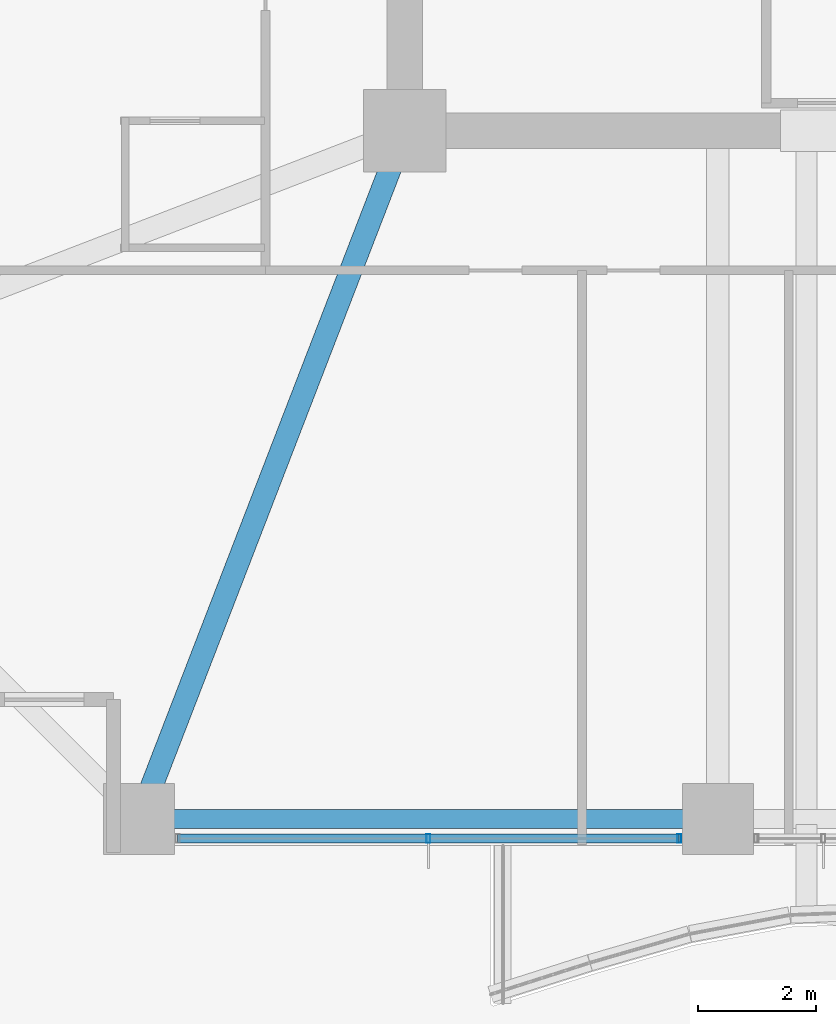
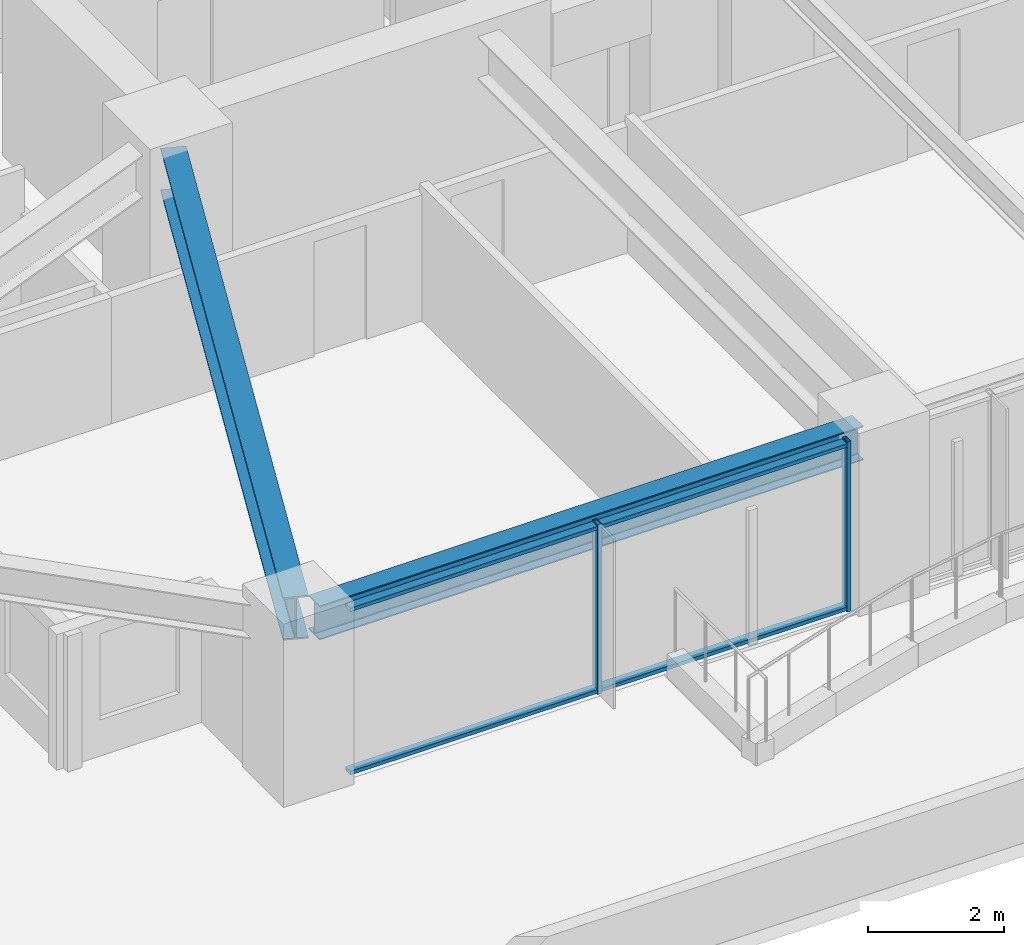
# One storey, part 3 of 36: 4 members, 2 beams, 1 element without a shape of its own.
"""IFC4 building model written with IfcOpenShell, lengths in metres."""

from ifc_helpers import new_model, si_unit, direction, frame, origin, origin_2d, place, context, subcontext, project, spatial, hollow_rectangle, i_section, extrude, material, material_profile, profile_set, type_object, element, aggregate, save


model = new_model("IFC4")

# Units and contexts
model_context = context("Model", 3, precision=1e-05, world=origin(), true_north=direction((0.0, 1.0)))
body_context = subcontext(model_context, "Body", "Model", "MODEL_VIEW")
ifc_project = project(units=[si_unit("LENGTHUNIT", "METRE"), si_unit("AREAUNIT", "SQUARE_METRE"), si_unit("VOLUMEUNIT", "CUBIC_METRE"), si_unit("PLANEANGLEUNIT", "RADIAN"), si_unit("MASSUNIT", "GRAM", prefix="KILO")], contexts=[model_context])

# Site, building, storey
site_placement = place(None, origin())
site = spatial("IfcSite", under=ifc_project, at=site_placement, CompositionType="ELEMENT")
building_placement = place(site_placement, origin())
building = spatial("IfcBuilding", under=site, at=building_placement, Name="Kolvaren Belvedere", CompositionType="ELEMENT")
storey_placement = place(building_placement, frame((0.0, 0.0, 23.800048828125)))
storey = spatial("IfcBuildingStorey", under=building, at=storey_placement, Name="L06", CompositionType="ELEMENT", Elevation=23.800048828125)

# Beams
ifc_material_1 = material(Name="Structural steel ASTM A992 Grade 50", Category="steel")
ifc_material_profile_1 = material_profile(ifc_material_1, i_section(OverallWidth=0.381103515625, OverallDepth=0.77294921875, WebThickness=0.0166015625, FlangeThickness=0.027099609375, FilletRadius=0.02392578125, at=origin_2d()), Name="W30X173")
ifc_profile_set_1 = profile_set([ifc_material_profile_1], Name="Structural steel ASTM A992 Grade 50")
beam_type_1 = type_object("IfcBeamType", Name="BM-GIRD-W30X173", PredefinedType="BEAM", material=ifc_profile_set_1)
beam_1_placement = place(storey_placement, frame((-10.09814453125, -10.4130859375, 2.67333984375), z_axis=(-0.360318391835, -0.932829382313, 0.0), x_axis=(0.932829382313, -0.360318391835, 0.0)))
element("IfcBeam", 1, at=beam_1_placement, inside=storey, type_object=beam_type_1, Name="L06 Corner Core-to-Perimeter Girder CC1-S1", PredefinedType="BEAM", context=body_context, shape_type="SweptSolid", body=[
    extrude(i_section(OverallWidth=0.381103515625, OverallDepth=0.77294921875, WebThickness=0.0166015625, FlangeThickness=0.027099609375, FilletRadius=0.02392578125, at=origin_2d()), origin(), (0.0, 0.0, 1.0), 11.698974609375),
])
ifc_material_2 = material(Name="Structural steel ASTM A992 Grade 50", Category="steel")
ifc_material_profile_2 = material_profile(ifc_material_2, i_section(OverallWidth=0.324951171875, OverallDepth=0.615966796875, WebThickness=0.013916015625, FlangeThickness=0.021484375, FilletRadius=0.02001953125, at=origin_2d()), Name="W24X117")
ifc_profile_set_2 = profile_set([ifc_material_profile_2], Name="Structural steel ASTM A992 Grade 50")
beam_type_2 = type_object("IfcBeamType", Name="BM-SPAN-W24X117", PredefinedType="SPANDREL", material=ifc_profile_set_2)
beam_2_placement = place(storey_placement, frame((-14.1298828125, -21.550048828125, 2.751953125), z_axis=(1.0, 0.0, 0.0), x_axis=(0.0, 1.0, 0.0)))
element("IfcBeam", 2, at=beam_2_placement, inside=storey, type_object=beam_type_2, Name="L06 Perimeter Spandrel S1-S2", PredefinedType="SPANDREL", context=body_context, shape_type="SweptSolid", body=[
    extrude(i_section(OverallWidth=0.324951171875, OverallDepth=0.615966796875, WebThickness=0.013916015625, FlangeThickness=0.021484375, FilletRadius=0.02001953125, at=origin_2d()), origin(), (0.0, 0.0, 1.0), 9.259765625),
])

# Curtain wall, members
ifc_material_3 = material(Name="Anodised pale-metal aluminium AA 6063-T6", Category="aluminium")
curtain_wall_type = type_object("IfcCurtainWallType", Name="CW-Z1-LOW", PredefinedType="NOTDEFINED", material=ifc_material_3)
curtain_wall_placement = place(storey_placement, origin())
curtain_wall = element("IfcCurtainWall", 3, at=curtain_wall_placement, inside=storey, type_object=curtain_wall_type, Name="L06 Unitised Curtain Wall FCW-L06-S2-B2", PredefinedType="NOTDEFINED")
ifc_material_4 = material(Name="Anodised pale-metal aluminium AA 6063-T6", Category="aluminium")
ifc_material_profile_3 = material_profile(ifc_material_4, hollow_rectangle(XDim=0.070068359375, YDim=0.14990234375, WallThickness=0.004150390625, at=origin_2d()), Name="ALU-MUL-150X70")
ifc_profile_set_3 = profile_set([ifc_material_profile_3], Name="Anodised pale-metal aluminium AA 6063-T6")
member_type_1 = type_object("IfcMemberType", Name="CW-MUL-150", PredefinedType="MULLION", material=ifc_profile_set_3)
member_1_placement = place(storey_placement, frame((-5.2548828125, -21.8798828125, 0.0), z_axis=(0.0, 0.0, 1.0), x_axis=(1.0, 0.0, 0.0)))
member_1 = element("IfcMember", 4, at=member_1_placement, type_object=member_type_1, Name="FCW-L06-S2-B2 Unitised Mullion 1", PredefinedType="MULLION", context=body_context, shape_type="SweptSolid", body=[
    extrude(hollow_rectangle(XDim=0.070068359375, YDim=0.14990234375, WallThickness=0.004150390625, at=origin_2d()), origin(), (0.0, 0.0, 1.0), 3.06005859375),
])
member_2_placement = place(storey_placement, frame((-9.5, -21.8798828125, 0.0), z_axis=(0.0, 0.0, 1.0), x_axis=(1.0, 0.0, 0.0)))
member_2 = element("IfcMember", 5, at=member_2_placement, type_object=member_type_1, Name="FCW-L06-S2-B2 Unitised Mullion 2", PredefinedType="MULLION", context=body_context, shape_type="SweptSolid", body=[
    extrude(hollow_rectangle(XDim=0.070068359375, YDim=0.14990234375, WallThickness=0.004150390625, at=origin_2d()), origin(), (0.0, 0.0, 1.0), 3.06005859375),
])
ifc_material_5 = material(Name="Anodised pale-metal aluminium AA 6063-T6", Category="aluminium")
ifc_material_profile_4 = material_profile(ifc_material_5, hollow_rectangle(XDim=0.06494140625, YDim=0.14990234375, WallThickness=0.00390625, at=origin_2d()), Name="ALU-TRN-150X65")
ifc_profile_set_4 = profile_set([ifc_material_profile_4], Name="Anodised pale-metal aluminium AA 6063-T6")
member_type_2 = type_object("IfcMemberType", Name="CW-TRN-150", PredefinedType="USERDEFINED", material=ifc_profile_set_4)
member_3_placement = place(storey_placement, frame((-5.2548828125, -21.8798828125, 0.06005859375), z_axis=(-1.0, 0.0, 0.0), x_axis=(0.0, 0.0, 1.0)))
member_3 = element("IfcMember", 6, at=member_3_placement, type_object=member_type_2, Name="FCW-L06-S2-B2 Sill Transom", ObjectType="TRANSOM", PredefinedType="USERDEFINED", context=body_context, shape_type="SweptSolid", body=[
    extrude(hollow_rectangle(XDim=0.06494140625, YDim=0.14990234375, WallThickness=0.00390625, at=origin_2d()), origin(), (0.0, 0.0, 1.0), 8.490234375),
])
member_4_placement = place(storey_placement, frame((-5.2548828125, -21.8798828125, 3.0), z_axis=(-1.0, 0.0, 0.0), x_axis=(0.0, 0.0, 1.0)))
member_4 = element("IfcMember", 7, at=member_4_placement, type_object=member_type_2, Name="FCW-L06-S2-B2 Head Transom", ObjectType="TRANSOM", PredefinedType="USERDEFINED", context=body_context, shape_type="SweptSolid", body=[
    extrude(hollow_rectangle(XDim=0.06494140625, YDim=0.14990234375, WallThickness=0.00390625, at=origin_2d()), origin(), (0.0, 0.0, 1.0), 8.490234375),
])
aggregate(curtain_wall, [member_1, member_2, member_3, member_4])

save(model, "model.ifc")
